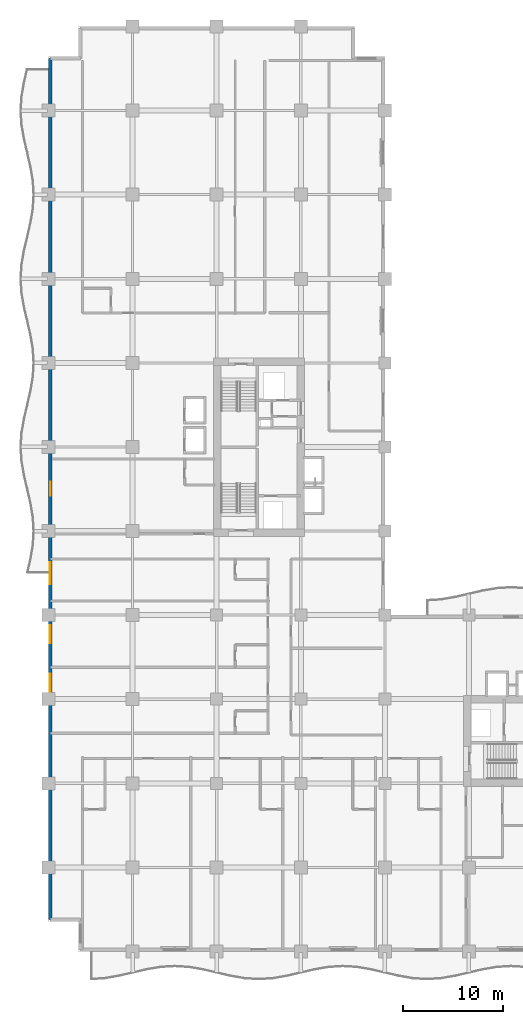
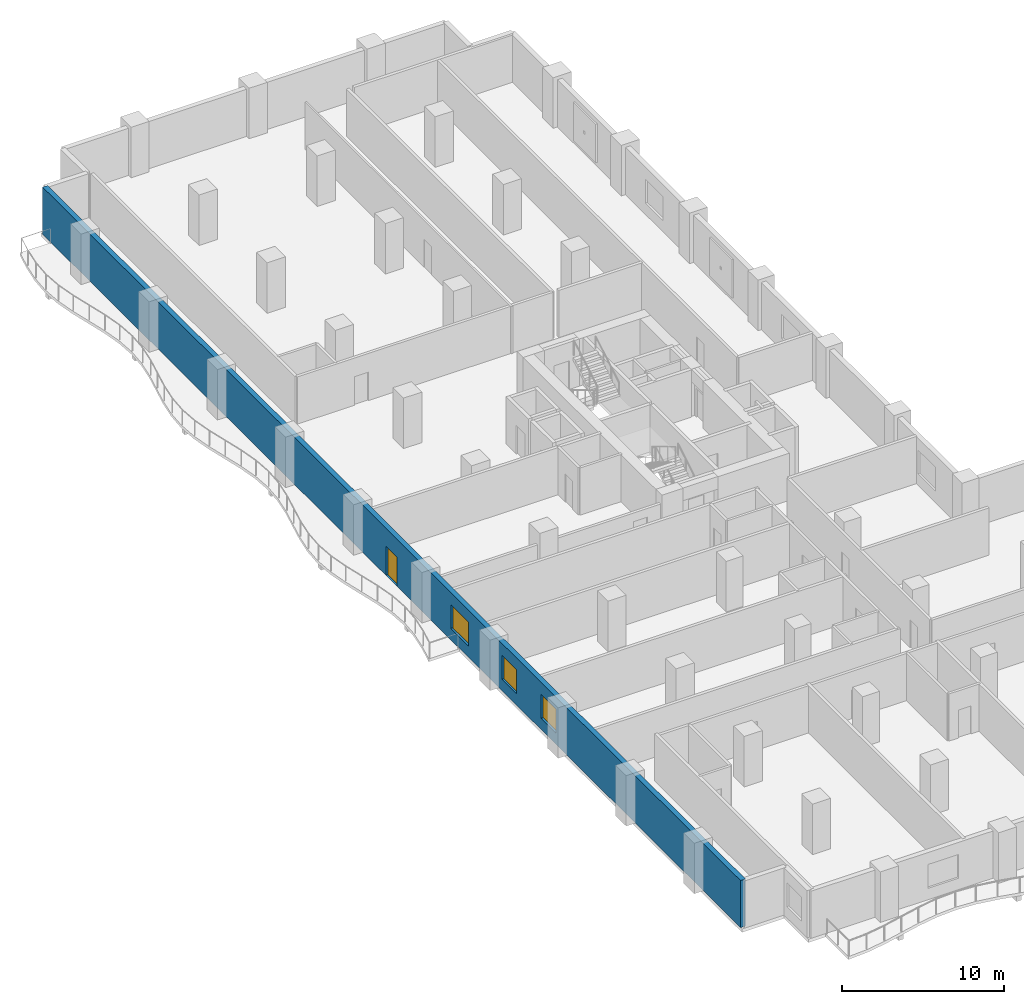
# One storey, part 12 of 23: 3 windows, 1 door, 1 wall, 4 openings.
"""IFC4 building model written with IfcOpenShell, lengths in metres."""

from ifc_helpers import new_model, si_unit, direction, frame, frame_2d, origin, place, context, subcontext, project, spatial, rectangle, extrude, material, layer, layer_set, type_object, element, fill, save


model = new_model("IFC4")

# Units and contexts
model_context = context("Model", 3, precision=1e-05, world=origin(), true_north=direction((0.0, 1.0)))
body_context = subcontext(model_context, "Body", "Model", "MODEL_VIEW")
ifc_project = project(units=[si_unit("LENGTHUNIT", "METRE"), si_unit("AREAUNIT", "SQUARE_METRE"), si_unit("VOLUMEUNIT", "CUBIC_METRE"), si_unit("PLANEANGLEUNIT", "RADIAN"), si_unit("MASSUNIT", "GRAM", prefix="KILO")], contexts=[model_context])

# Site, building, storey
site_placement = place(None, origin())
site = spatial("IfcSite", under=ifc_project, at=site_placement, CompositionType="ELEMENT")
building_placement = place(site_placement, origin())
building = spatial("IfcBuilding", under=site, at=building_placement, Name="Koriwani Terraces Tower", CompositionType="ELEMENT")
storey_placement = place(building_placement, frame((0.0, 0.0, 119.0)))
storey = spatial("IfcBuildingStorey", under=building, at=storey_placement, Name="L28", CompositionType="ELEMENT", Elevation=119.0)

# Wall, openings, door, windows
ifc_material_1 = material(Name="Concrete C50/60", Category="concrete")
ifc_layer = layer(ifc_material_1, 0.35009765625, Name="Concrete C50/60")
ifc_layer_set = layer_set([ifc_layer], Name="Concrete C50/60")
wall_type = type_object("IfcWallType", Name="WALL_EXT_BRUTALIST_350", PredefinedType="STANDARD", material=ifc_layer_set)
wall_placement = place(storey_placement, frame((0.175048828125, 3.175048828125, 0.0), z_axis=(0.0, 0.0, 1.0), x_axis=(0.0, 1.0, 0.0)))
wall = element("IfcWall", 1, at=wall_placement, inside=storey, type_object=wall_type, Name="L28 Fair-Faced Brutalist Exterior Wall (W)", PredefinedType="STANDARD", context=body_context, shape_type="SweptSolid", body=[
    extrude(rectangle(XDim=86.050048828125, YDim=0.35009765625, at=frame_2d((43.02490234375, 0.0))), origin(), (0.0, 0.0, 1.0), 3.550048828125),
])
opening_1_placement = place(wall_placement, frame((42.324951171875, 0.0, 0.0)))
opening_1 = element("IfcOpeningElement", 2, at=opening_1_placement, cuts=wall, Name="Opening D-09", PredefinedType="OPENING", context=body_context, shape_type="SweptSolid", body=[
    extrude(rectangle(XDim=1.39990234375, YDim=2.199951171875, at=frame_2d((0.699951171875, 1.10009765625))), frame((0.0, 0.18505859375, 0.0), z_axis=(0.0, -1.0, 0.0), x_axis=(1.0, 0.0, 0.0)), (0.0, 0.0, 1.0), 0.3701171875),
])
opening_2_placement = place(wall_placement, frame((33.52490234375, 0.0, 0.85009765625)))
opening_2 = element("IfcOpeningElement", 3, at=opening_2_placement, cuts=wall, Name="Opening W-01", PredefinedType="OPENING", context=body_context, shape_type="SweptSolid", body=[
    extrude(rectangle(XDim=2.199951171875, YDim=1.800048828125, at=frame_2d((1.10009765625, 0.89990234375))), frame((0.0, 0.18505859375, 0.0), z_axis=(0.0, -1.0, 0.0), x_axis=(1.0, 0.0, 0.0)), (0.0, 0.0, 1.0), 0.3701171875),
])
opening_3_placement = place(wall_placement, frame((22.77490234375, 0.0, 0.85009765625)))
opening_3 = element("IfcOpeningElement", 4, at=opening_3_placement, cuts=wall, Name="Opening W-04", PredefinedType="OPENING", context=body_context, shape_type="SweptSolid", body=[
    extrude(rectangle(XDim=1.800048828125, YDim=1.800048828125, at=frame_2d((0.89990234375, 0.89990234375))), frame((0.0, 0.18505859375, 0.0), z_axis=(0.0, -1.0, 0.0), x_axis=(1.0, 0.0, 0.0)), (0.0, 0.0, 1.0), 0.3701171875),
])
opening_4_placement = place(wall_placement, frame((27.625, 0.0, 0.85009765625)))
opening_4 = element("IfcOpeningElement", 5, at=opening_4_placement, cuts=wall, Name="Opening W-04", PredefinedType="OPENING", context=body_context, shape_type="SweptSolid", body=[
    extrude(rectangle(XDim=1.800048828125, YDim=1.800048828125, at=frame_2d((0.89990234375, 0.89990234375))), frame((0.0, 0.18505859375, 0.0), z_axis=(0.0, -1.0, 0.0), x_axis=(1.0, 0.0, 0.0)), (0.0, 0.0, 1.0), 0.3701171875),
])
ifc_material_2 = material(Name="Anodised Bronze Aluminium", Category="aluminium")
door_type = type_object("IfcDoorType", Name="DOOR_BALCONY_GLAZED_1400X2200", OperationType="NOTDEFINED", PredefinedType="DOOR", material=ifc_material_2)
door_placement = place(opening_1_placement, origin())
door = element("IfcDoor", 6, at=door_placement, inside=storey, type_object=door_type, Name="L28 West Balcony Glazed Door", OperationType="SINGLE_SWING_LEFT", OverallHeight=2.199951171875, OverallWidth=1.39990234375, PredefinedType="DOOR", context=body_context, shape_type="SweptSolid", body=[
    extrude(rectangle(XDim=1.39990234375, YDim=2.199951171875, at=frame_2d((0.699951171875, 1.10009765625))), frame((0.0, 0.02490234375, 0.0), z_axis=(0.0, -1.0, 0.0), x_axis=(1.0, 0.0, 0.0)), (0.0, 0.0, 1.0), 0.050048828125),
])
fill(opening_1, door)
ifc_material_3 = material(Name="Tempered Laminated Low-E Glass", Category="glass")
window_type_1 = type_object("IfcWindowType", Name="WIN_HOTEL_STD_2200X1800", PartitioningType="DOUBLE_PANEL_VERTICAL", PredefinedType="WINDOW", material=ifc_material_3)
window_1_placement = place(opening_2_placement, origin())
window_1 = element("IfcWindow", 7, at=window_1_placement, inside=storey, type_object=window_type_1, Name="L28 Exterior Window (W-12)", OverallHeight=1.800048828125, OverallWidth=2.199951171875, PartitioningType="SINGLE_PANEL", PredefinedType="WINDOW", context=body_context, shape_type="SweptSolid", body=[
    extrude(rectangle(XDim=2.199951171875, YDim=1.800048828125, at=frame_2d((1.10009765625, 0.89990234375))), frame((0.0, 0.030029296875, 0.0), z_axis=(0.0, -1.0, 0.0), x_axis=(1.0, 0.0, 0.0)), (0.0, 0.0, 1.0), 0.06005859375),
])
fill(opening_2, window_1)
window_type_2 = type_object("IfcWindowType", Name="WIN_RES_BED_1800X1800", PartitioningType="DOUBLE_PANEL_VERTICAL", PredefinedType="WINDOW", material=ifc_material_3)
window_2_placement = place(opening_3_placement, origin())
window_2 = element("IfcWindow", 8, at=window_2_placement, inside=storey, type_object=window_type_2, Name="L28 Exterior Window (W-R42)", OverallHeight=1.800048828125, OverallWidth=1.800048828125, PartitioningType="SINGLE_PANEL", PredefinedType="WINDOW", context=body_context, shape_type="SweptSolid", body=[
    extrude(rectangle(XDim=1.800048828125, YDim=1.800048828125, at=frame_2d((0.89990234375, 0.89990234375))), frame((0.0, 0.030029296875, 0.0), z_axis=(0.0, -1.0, 0.0), x_axis=(1.0, 0.0, 0.0)), (0.0, 0.0, 1.0), 0.06005859375),
])
fill(opening_3, window_2)
window_3_placement = place(opening_4_placement, origin())
window_3 = element("IfcWindow", 9, at=window_3_placement, inside=storey, type_object=window_type_2, Name="L28 Exterior Window (W-R44)", OverallHeight=1.800048828125, OverallWidth=1.800048828125, PartitioningType="SINGLE_PANEL", PredefinedType="WINDOW", context=body_context, shape_type="SweptSolid", body=[
    extrude(rectangle(XDim=1.800048828125, YDim=1.800048828125, at=frame_2d((0.89990234375, 0.89990234375))), frame((0.0, 0.030029296875, 0.0), z_axis=(0.0, -1.0, 0.0), x_axis=(1.0, 0.0, 0.0)), (0.0, 0.0, 1.0), 0.06005859375),
])
fill(opening_4, window_3)

save(model, "model.ifc")
